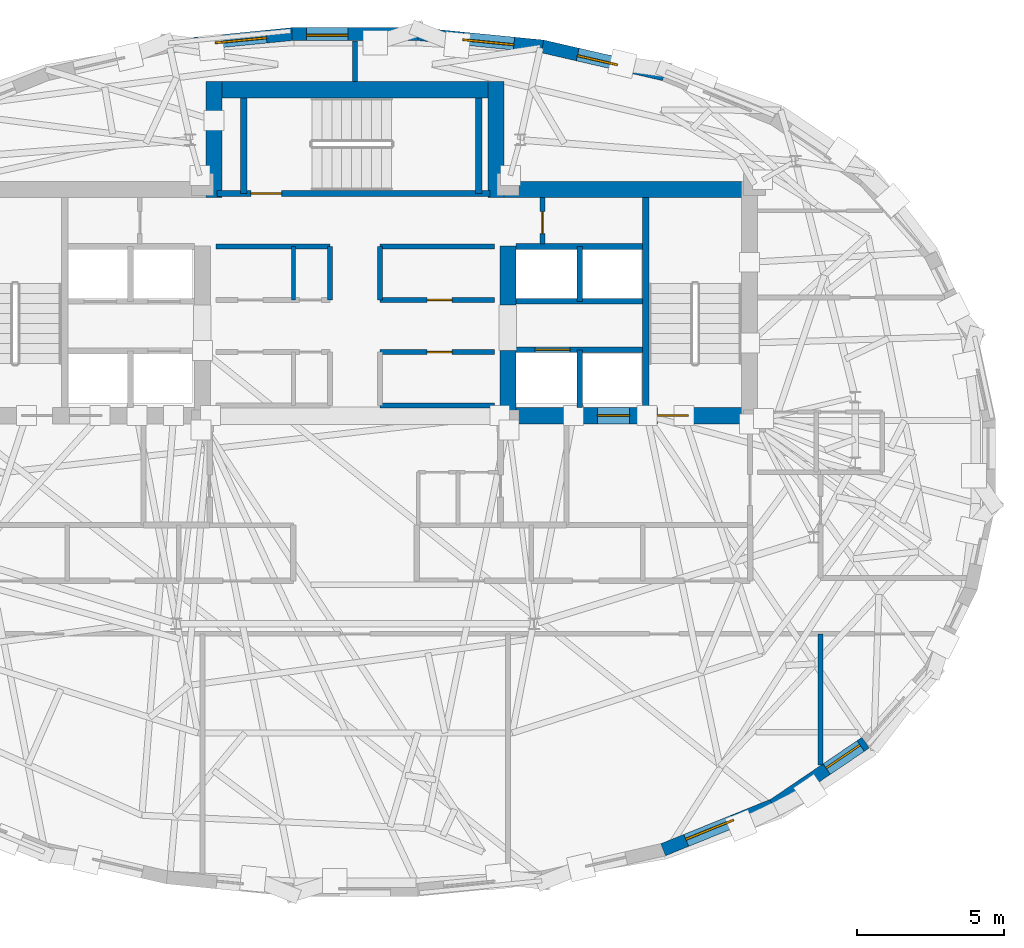
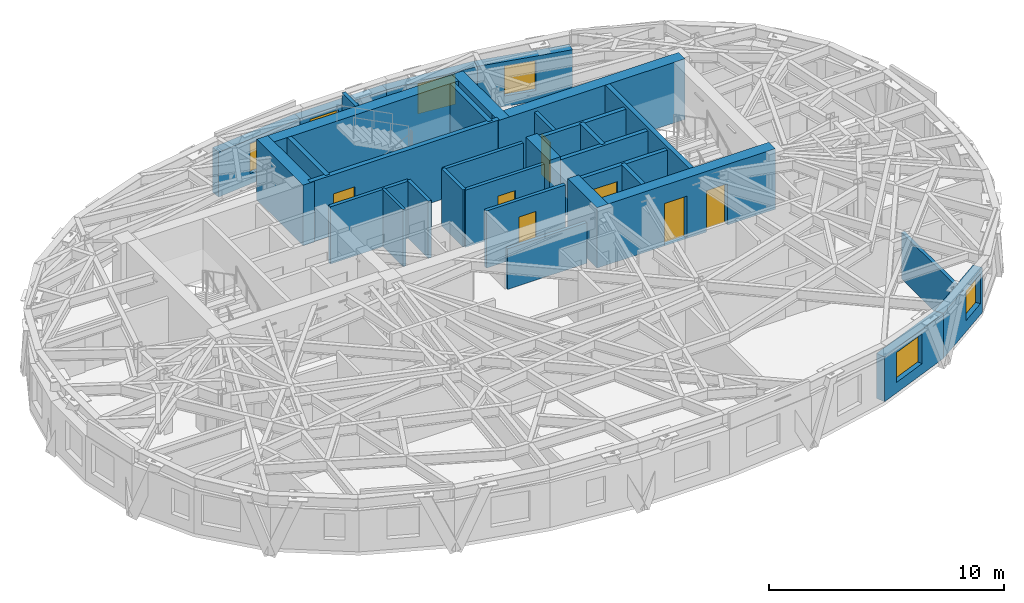
# One storey, part 8 of 13: 33 walls, 7 doors, 6 windows, 13 openings.
"""IFC4 building model written with IfcOpenShell, lengths in metres."""

from ifc_helpers import new_model, si_unit, direction, frame, frame_2d, origin, place, context, subcontext, project, spatial, rectangle, extrude, material, layer, layer_set, type_object, element, fill, save


model = new_model("IFC4")

# Units and contexts
model_context = context("Model", 3, precision=1e-05, world=origin(), true_north=direction((0.0, 1.0)))
body_context = subcontext(model_context, "Body", "Model", "MODEL_VIEW")
ifc_project = project(units=[si_unit("LENGTHUNIT", "METRE"), si_unit("AREAUNIT", "SQUARE_METRE"), si_unit("VOLUMEUNIT", "CUBIC_METRE"), si_unit("PLANEANGLEUNIT", "RADIAN"), si_unit("MASSUNIT", "GRAM", prefix="KILO")], contexts=[model_context])

# Site, building, storey
site_placement = place(None, origin())
site = spatial("IfcSite", under=ifc_project, at=site_placement, CompositionType="ELEMENT")
building_placement = place(site_placement, origin())
building = spatial("IfcBuilding", under=site, at=building_placement, Name="Keldmark Tower", CompositionType="ELEMENT")
storey_placement = place(building_placement, frame((0.0, 0.0, 244.64990234375)))
storey = spatial("IfcBuildingStorey", under=building, at=storey_placement, Name="L69", CompositionType="ELEMENT", Elevation=244.64990234375)

# Wall
ifc_material_1 = material(Name="Concrete C50/60", Category="concrete")
ifc_layer_1 = layer(ifc_material_1, 0.550048828125)
ifc_layer_set_1 = layer_set([ifc_layer_1], Name="Concrete C50/60")
wall_type_1 = type_object("IfcWallType", Name="High-Rise Core Shear Wall 550 mm", PredefinedType="SHEAR", material=ifc_layer_set_1)
wall_1_placement = place(storey_placement, frame((4.52490234375, 9.27490234375, 0.0), z_axis=(0.0, 0.0, 1.0), x_axis=(1.0, 0.0, 0.0)))
element("IfcWall", 1, at=wall_1_placement, inside=storey, type_object=wall_type_1, Name="L69 East Core North Shear Wall", PredefinedType="SHEAR", context=body_context, shape_type="SweptSolid", body=[
    extrude(rectangle(XDim=9.175048828125, YDim=0.550048828125, at=frame_2d((4.58740234375, 0.0))), origin(), (0.0, 0.0, 1.0), 3.150146484375),
])

# Wall, openings, doors
wall_2_placement = place(storey_placement, frame((13.699951171875, 1.574951171875, 0.0), z_axis=(0.0, 0.0, 1.0), x_axis=(-1.0, 0.0, 0.0)))
wall_2 = element("IfcWall", 2, at=wall_2_placement, inside=storey, type_object=wall_type_1, Name="L69 East Core South Shear Wall", PredefinedType="SHEAR", context=body_context, shape_type="SweptSolid", body=[
    extrude(rectangle(XDim=8.77490234375, YDim=0.550048828125, at=frame_2d((4.387451171875, 0.0))), origin(), (0.0, 0.0, 1.0), 3.150146484375),
])
opening_1_placement = place(wall_2_placement, frame((2.35009765625, 0.0, 0.0)))
opening_1 = element("IfcOpeningElement", 3, at=opening_1_placement, cuts=wall_2, Name="Opening D-ST105", PredefinedType="OPENING", context=body_context, shape_type="SweptSolid", body=[
    extrude(rectangle(XDim=1.050048828125, YDim=2.14990234375, at=frame_2d((0.52490234375, 1.074951171875))), frame((0.0, 0.284912109375, 0.0), z_axis=(0.0, -1.0, 0.0), x_axis=(1.0, 0.0, 0.0)), (0.0, 0.0, 1.0), 0.570068359375),
])
opening_2_placement = place(wall_2_placement, frame((4.35009765625, 0.0, 0.0)))
opening_2 = element("IfcOpeningElement", 4, at=opening_2_placement, cuts=wall_2, Name="Opening LD-110", PredefinedType="OPENING", context=body_context, shape_type="SweptSolid", body=[
    extrude(rectangle(XDim=1.10009765625, YDim=2.199951171875, at=frame_2d((0.550048828125, 1.10009765625))), frame((0.0, 0.284912109375, 0.0), z_axis=(0.0, -1.0, 0.0), x_axis=(1.0, 0.0, 0.0)), (0.0, 0.0, 1.0), 0.570068359375),
])
ifc_material_2 = material(Name="Brushed Bronze Hoistway Sliding Leaf", Category="metal")
door_type_1 = type_object("IfcDoorType", Name="Lift Landing Sliding Door 1100x2200", OperationType="SLIDING_TO_LEFT", PredefinedType="DOOR", material=ifc_material_2)
door_1_placement = place(opening_2_placement, origin())
door_1 = element("IfcDoor", 5, at=door_1_placement, inside=storey, type_object=door_type_1, Name="L69 Lift Landing Sliding Door 1100x2200 LD-EL-FS2-L69", OperationType="SLIDING_TO_LEFT", OverallHeight=2.199951171875, OverallWidth=1.10009765625, PredefinedType="DOOR", context=body_context, shape_type="SweptSolid", body=[
    extrude(rectangle(XDim=1.10009765625, YDim=2.199951171875, at=frame_2d((0.550048828125, 1.10009765625))), frame((0.0, 0.02490234375, 0.0), z_axis=(0.0, -1.0, 0.0), x_axis=(1.0, 0.0, 0.0)), (0.0, 0.0, 1.0), 0.050048828125),
])
fill(opening_2, door_1)
ifc_material_3 = material(Name="Hollow Metal Fire-Rated Door Assembly", Category="metal")
door_type_2 = type_object("IfcDoorType", Name="Stair Fire Door 1050x2150", OperationType="NOTDEFINED", PredefinedType="DOOR", material=ifc_material_3)
door_2_placement = place(opening_1_placement, origin())
door_2 = element("IfcDoor", 6, at=door_2_placement, inside=storey, type_object=door_type_2, Name="L69 Stair Fire Door 1050x2150 D-ST2-L69", OperationType="SINGLE_SWING_LEFT", OverallHeight=2.14990234375, OverallWidth=1.050048828125, PredefinedType="DOOR", context=body_context, shape_type="SweptSolid", body=[
    extrude(rectangle(XDim=1.050048828125, YDim=2.14990234375, at=frame_2d((0.52490234375, 1.074951171875))), frame((0.0, 0.02490234375, 0.0), z_axis=(0.0, -1.0, 0.0), x_axis=(1.0, 0.0, 0.0)), (0.0, 0.0, 1.0), 0.050048828125),
])
fill(opening_1, door_2)

# Walls
wall_3_placement = place(storey_placement, frame((5.199951171875, 1.300048828125, 0.0), z_axis=(0.0, 0.0, 1.0), x_axis=(0.0, 1.0, 0.0)))
element("IfcWall", 7, at=wall_3_placement, inside=storey, type_object=wall_type_1, Name="L69 East Core Inner Shear Pier South", PredefinedType="SHEAR", context=body_context, shape_type="SweptSolid", body=[
    extrude(rectangle(XDim=2.5, YDim=0.550048828125, at=frame_2d((1.25, 0.0))), origin(), (0.0, 0.0, 1.0), 3.150146484375),
])
wall_4_placement = place(storey_placement, frame((5.199951171875, 5.35009765625, 0.0), z_axis=(0.0, 0.0, 1.0), x_axis=(0.0, 1.0, 0.0)))
element("IfcWall", 8, at=wall_4_placement, inside=storey, type_object=wall_type_1, Name="L69 East Core Inner Shear Pier North", PredefinedType="SHEAR", context=body_context, shape_type="SweptSolid", body=[
    extrude(rectangle(XDim=2.0, YDim=0.550048828125, at=frame_2d((1.0, 0.0))), origin(), (0.0, 0.0, 1.0), 3.150146484375),
])
wall_5_placement = place(storey_placement, frame((-5.074951171875, 12.675048828125, 0.0), z_axis=(0.0, 0.0, 1.0), x_axis=(1.0, 0.0, 0.0)))
element("IfcWall", 9, at=wall_5_placement, inside=storey, type_object=wall_type_1, Name="L69 North Core Shear Wall", PredefinedType="SHEAR", context=body_context, shape_type="SweptSolid", body=[
    extrude(rectangle(XDim=10.14990234375, YDim=0.550048828125, at=frame_2d((5.074951171875, 0.0))), origin(), (0.0, 0.0, 1.0), 3.150146484375),
])
for number, where, z_axis, x_axis, name in (
    (10, (-4.800048828125, 9.0, 0.0), (0.0, 0.0, 1.0), (0.0, 1.0, 0.0), "L69 North Core West Shear Wall"),
    (11, (4.800048828125, 9.0, 0.0), (0.0, 0.0, 1.0), (0.0, 1.0, 0.0), "L69 North Core East Shear Wall"),
):
    element("IfcWall", number, at=place(storey_placement, frame(where, z_axis=z_axis, x_axis=x_axis)), inside=storey, type_object=wall_type_1, Name=name, PredefinedType="SHEAR", context=body_context, shape_type="SweptSolid", body=[
        extrude(rectangle(XDim=3.949951171875, YDim=0.550048828125, at=frame_2d((1.97509765625, 0.0))), origin(), (0.0, 0.0, 1.0), 3.150146484375),
    ])
ifc_material_4 = material(Name="Acoustic Gypsum Board Interior Partition", Category="gypsum")
ifc_layer_2 = layer(ifc_material_4, 0.1298828125)
ifc_layer_set_2 = layer_set([ifc_layer_2], Name="Acoustic Gypsum Board Interior Partition")
wall_type_2 = type_object("IfcWallType", Name="Interior Partition 130 mm", PredefinedType="PARTITIONING", material=ifc_layer_set_2)
wall_6_placement = place(storey_placement, frame((-2.10009765625, 5.52001953125, 0.0), z_axis=(0.0, 0.0, 1.0), x_axis=(0.0, 1.0, 0.0)))
element("IfcWall", 12, at=wall_6_placement, inside=storey, type_object=wall_type_2, Name="L69 Interior Partition 130 mm REC-MW-M", PredefinedType="PARTITIONING", context=body_context, shape_type="SweptSolid", body=[
    extrude(rectangle(XDim=1.81005859375, YDim=0.1298828125, at=frame_2d((0.905029296875, 0.0))), origin(), (0.0, 0.0, 1.0), 2.97021484375),
])
ifc_material_5 = material(Name="Type X Fire-Rated Gypsum Partition Assembly", Category="gypsum")
ifc_layer_3 = layer(ifc_material_5, 0.1650390625)
ifc_layer_set_3 = layer_set([ifc_layer_3], Name="Type X Fire-Rated Gypsum Partition Assembly")
wall_type_3 = type_object("IfcWallType", Name="Rated Partition 165 mm", PredefinedType="PARTITIONING", material=ifc_layer_set_3)
wall_7_placement = place(storey_placement, frame((0.85009765625, 1.919921875, 0.0), z_axis=(0.0, 0.0, 1.0), x_axis=(1.0, 0.0, 0.0)))
element("IfcWall", 13, at=wall_7_placement, inside=storey, type_object=wall_type_3, Name="L69 Rated Partition 165 mm REC-LE-S", PredefinedType="PARTITIONING", context=body_context, shape_type="SweptSolid", body=[
    extrude(rectangle(XDim=3.889892578125, YDim=0.1650390625, at=frame_2d((1.94482421875, 0.0))), origin(), (0.0, 0.0, 1.0), 2.110107421875),
])

# Wall, opening, door
wall_8_placement = place(storey_placement, frame((0.85009765625, 3.739990234375, 0.0), z_axis=(0.0, 0.0, 1.0), x_axis=(1.0, 0.0, 0.0)))
wall_8 = element("IfcWall", 14, at=wall_8_placement, inside=storey, type_object=wall_type_3, Name="L69 Rated Partition 165 mm REC-LE-N", PredefinedType="PARTITIONING", context=body_context, shape_type="SweptSolid", body=[
    extrude(rectangle(XDim=3.889892578125, YDim=0.1650390625, at=frame_2d((1.94482421875, 0.0))), origin(), (0.0, 0.0, 1.0), 2.97021484375),
])
opening_3_placement = place(wall_8_placement, frame((1.60009765625, 0.0, 0.0)))
opening_3 = element("IfcOpeningElement", 15, at=opening_3_placement, cuts=wall_8, Name="Opening D-SV085", PredefinedType="OPENING", context=body_context, shape_type="SweptSolid", body=[
    extrude(rectangle(XDim=0.85009765625, YDim=2.10009765625, at=frame_2d((0.425048828125, 1.050048828125))), frame((0.0, 0.092529296875, 0.0), z_axis=(0.0, -1.0, 0.0), x_axis=(1.0, 0.0, 0.0)), (0.0, 0.0, 1.0), 0.18505859375),
])
ifc_material_6 = material(Name="Painted Hollow Metal Door Assembly", Category="metal")
door_type_3 = type_object("IfcDoorType", Name="Service Door 850x2100", OperationType="NOTDEFINED", PredefinedType="DOOR", material=ifc_material_6)
door_3_placement = place(opening_3_placement, origin())
door_3 = element("IfcDoor", 16, at=door_3_placement, inside=storey, type_object=door_type_3, Name="L69 Service Door 850x2100 D-RECLE1-L69", OperationType="SINGLE_SWING_LEFT", OverallHeight=2.10009765625, OverallWidth=0.85009765625, PredefinedType="DOOR", context=body_context, shape_type="SweptSolid", body=[
    extrude(rectangle(XDim=0.85009765625, YDim=2.10009765625, at=frame_2d((0.425048828125, 1.050048828125))), frame((0.0, 0.02490234375, 0.0), z_axis=(0.0, -1.0, 0.0), x_axis=(1.0, 0.0, 0.0)), (0.0, 0.0, 1.0), 0.050048828125),
])
fill(opening_3, door_3)

# Walls
wall_9_placement = place(storey_placement, frame((-4.739990234375, 7.330078125, 0.0), z_axis=(0.0, 0.0, 1.0), x_axis=(1.0, 0.0, 0.0)))
element("IfcWall", 17, at=wall_9_placement, inside=storey, type_object=wall_type_3, Name="L69 Rated Partition 165 mm REC-MW-N", PredefinedType="PARTITIONING", context=body_context, shape_type="SweptSolid", body=[
    extrude(rectangle(XDim=3.889892578125, YDim=0.1650390625, at=frame_2d((1.94482421875, 0.0))), origin(), (0.0, 0.0, 1.0), 2.97021484375),
])
wall_10_placement = place(storey_placement, frame((-0.85009765625, 5.52001953125, 0.0), z_axis=(0.0, 0.0, 1.0), x_axis=(0.0, 1.0, 0.0)))
element("IfcWall", 18, at=wall_10_placement, inside=storey, type_object=wall_type_3, Name="L69 Rated Partition 165 mm REC-MW-E", PredefinedType="PARTITIONING", context=body_context, shape_type="SweptSolid", body=[
    extrude(rectangle(XDim=1.81005859375, YDim=0.1650390625, at=frame_2d((0.905029296875, 0.0))), origin(), (0.0, 0.0, 1.0), 2.97021484375),
])

# Wall, opening, door
wall_11_placement = place(storey_placement, frame((0.85009765625, 5.52001953125, 0.0), z_axis=(0.0, 0.0, 1.0), x_axis=(1.0, 0.0, 0.0)))
wall_11 = element("IfcWall", 19, at=wall_11_placement, inside=storey, type_object=wall_type_3, Name="L69 Rated Partition 165 mm REC-ME-S", PredefinedType="PARTITIONING", context=body_context, shape_type="SweptSolid", body=[
    extrude(rectangle(XDim=3.889892578125, YDim=0.1650390625, at=frame_2d((1.94482421875, 0.0))), origin(), (0.0, 0.0, 1.0), 2.97021484375),
])
opening_4_placement = place(wall_11_placement, frame((1.60009765625, 0.0, 0.0)))
opening_4 = element("IfcOpeningElement", 20, at=opening_4_placement, cuts=wall_11, Name="Opening D-SV085", PredefinedType="OPENING", context=body_context, shape_type="SweptSolid", body=[
    extrude(rectangle(XDim=0.85009765625, YDim=2.10009765625, at=frame_2d((0.425048828125, 1.050048828125))), frame((0.0, 0.092529296875, 0.0), z_axis=(0.0, -1.0, 0.0), x_axis=(1.0, 0.0, 0.0)), (0.0, 0.0, 1.0), 0.18505859375),
])
door_4_placement = place(opening_4_placement, origin())
door_4 = element("IfcDoor", 21, at=door_4_placement, inside=storey, type_object=door_type_3, Name="L69 Service Door 850x2100 D-RECME1-L69", OperationType="SINGLE_SWING_RIGHT", OverallHeight=2.10009765625, OverallWidth=0.85009765625, PredefinedType="DOOR", context=body_context, shape_type="SweptSolid", body=[
    extrude(rectangle(XDim=0.85009765625, YDim=2.10009765625, at=frame_2d((0.425048828125, 1.050048828125))), frame((0.0, 0.02490234375, 0.0), z_axis=(0.0, -1.0, 0.0), x_axis=(1.0, 0.0, 0.0)), (0.0, 0.0, 1.0), 0.050048828125),
])
fill(opening_4, door_4)

# Walls
wall_12_placement = place(storey_placement, frame((0.85009765625, 7.330078125, 0.0), z_axis=(0.0, 0.0, 1.0), x_axis=(1.0, 0.0, 0.0)))
element("IfcWall", 22, at=wall_12_placement, inside=storey, type_object=wall_type_3, Name="L69 Rated Partition 165 mm REC-ME-N", PredefinedType="PARTITIONING", context=body_context, shape_type="SweptSolid", body=[
    extrude(rectangle(XDim=3.889892578125, YDim=0.1650390625, at=frame_2d((1.94482421875, 0.0))), origin(), (0.0, 0.0, 1.0), 2.97021484375),
])
wall_13_placement = place(storey_placement, frame((0.85009765625, 5.52001953125, 0.0), z_axis=(0.0, 0.0, 1.0), x_axis=(0.0, 1.0, 0.0)))
element("IfcWall", 23, at=wall_13_placement, inside=storey, type_object=wall_type_3, Name="L69 Rated Partition 165 mm REC-ME-W", PredefinedType="PARTITIONING", context=body_context, shape_type="SweptSolid", body=[
    extrude(rectangle(XDim=1.81005859375, YDim=0.1650390625, at=frame_2d((0.905029296875, 0.0))), origin(), (0.0, 0.0, 1.0), 2.97021484375),
])

# Wall, opening, door
wall_14_placement = place(storey_placement, frame((6.3798828125, 7.419921875, 0.0), z_axis=(0.0, 0.0, 1.0), x_axis=(0.0, 1.0, 0.0)))
wall_14 = element("IfcWall", 24, at=wall_14_placement, inside=storey, type_object=wall_type_3, Name="L69 Rated Partition 165 mm CS-NE-W", PredefinedType="PARTITIONING", context=body_context, shape_type="SweptSolid", body=[
    extrude(rectangle(XDim=1.580078125, YDim=0.1650390625, at=frame_2d((0.7900390625, 0.0))), origin(), (0.0, 0.0, 1.0), 2.97021484375),
])
opening_5_placement = place(wall_14_placement, frame((0.35009765625, 0.0, 0.0)))
opening_5 = element("IfcOpeningElement", 25, at=opening_5_placement, cuts=wall_14, Name="Opening D-RS075", PredefinedType="OPENING", context=body_context, shape_type="SweptSolid", body=[
    extrude(rectangle(XDim=0.75, YDim=2.10009765625, at=frame_2d((0.375, 1.050048828125))), frame((0.0, 0.092529296875, 0.0), z_axis=(0.0, -1.0, 0.0), x_axis=(1.0, 0.0, 0.0)), (0.0, 0.0, 1.0), 0.18505859375),
])
ifc_material_7 = material(Name="Galvanized Fire-Rated Access Leaf", Category="metal")
door_type_4 = type_object("IfcDoorType", Name="Riser Access Door 750x2100", OperationType="NOTDEFINED", PredefinedType="DOOR", material=ifc_material_7)
door_5_placement = place(opening_5_placement, origin())
door_5 = element("IfcDoor", 26, at=door_5_placement, inside=storey, type_object=door_type_4, Name="L69 Riser Access Door 750x2100 D-CSNE1-L69", OperationType="SINGLE_SWING_LEFT", OverallHeight=2.10009765625, OverallWidth=0.75, PredefinedType="DOOR", context=body_context, shape_type="SweptSolid", body=[
    extrude(rectangle(XDim=0.75, YDim=2.10009765625, at=frame_2d((0.375, 1.050048828125))), frame((0.0, 0.02490234375, 0.0), z_axis=(0.0, -1.0, 0.0), x_axis=(1.0, 0.0, 0.0)), (0.0, 0.0, 1.0), 0.050048828125),
])
fill(opening_5, door_5)

# Walls
wall_15_placement = place(storey_placement, frame((0.0, 12.949951171875, 0.0), z_axis=(0.0, 0.0, 1.0), x_axis=(0.0, 1.0, 0.0)))
element("IfcWall", 27, at=wall_15_placement, inside=storey, type_object=wall_type_3, Name="L69 Rated Partition 165 mm RN-DIV", PredefinedType="PARTITIONING", context=body_context, shape_type="SweptSolid", body=[
    extrude(rectangle(XDim=1.390869140625, YDim=0.1650390625, at=frame_2d((0.6953125, 0.0))), origin(), (0.0, 0.0, 1.0), 2.97021484375),
])
wall_16_placement = place(storey_placement, frame((15.85009765625, -10.322265625, 0.0), z_axis=(0.0, 0.0, 1.0), x_axis=(0.0, 1.0, 0.0)))
element("IfcWall", 28, at=wall_16_placement, inside=storey, type_object=wall_type_3, Name="L69 Rated Partition 165 mm RS-ECAP", PredefinedType="PARTITIONING", context=body_context, shape_type="SweptSolid", body=[
    extrude(rectangle(XDim=4.47216796875, YDim=0.1650390625, at=frame_2d((2.236083984375, 0.0))), origin(), (0.0, 0.0, 1.0), 2.423095703125),
])

# Wall, opening, door
ifc_material_8 = material(Name="Fire-Resistant Type X Gypsum Shaftliner Coreboard", Category="gypsum")
ifc_layer_4 = layer(ifc_material_8, 0.199951171875)
ifc_layer_set_4 = layer_set([ifc_layer_4], Name="Fire-Resistant Type X Gypsum Shaftliner Coreboard")
wall_type_4 = type_object("IfcWallType", Name="Shaft Wall 200 mm", PredefinedType="SOLIDWALL", material=ifc_layer_set_4)
wall_17_placement = place(storey_placement, frame((5.47509765625, 3.820068359375, 0.0), z_axis=(0.0, 0.0, 1.0), x_axis=(1.0, 0.0, 0.0)))
wall_17 = element("IfcWall", 29, at=wall_17_placement, inside=storey, type_object=wall_type_4, Name="L69 Shaft Wall 200 mm HW-E-S", PredefinedType="SOLIDWALL", context=body_context, shape_type="SweptSolid", body=[
    extrude(rectangle(XDim=4.304931640625, YDim=0.199951171875, at=frame_2d((2.15234375, 0.0))), origin(), (0.0, 0.0, 1.0), 2.97021484375),
])
opening_6_placement = place(wall_17_placement, frame((0.64990234375, 0.0, 0.0)))
opening_6 = element("IfcOpeningElement", 30, at=opening_6_placement, cuts=wall_17, Name="Opening LD-120", PredefinedType="OPENING", context=body_context, shape_type="SweptSolid", body=[
    extrude(rectangle(XDim=1.199951171875, YDim=2.199951171875, at=frame_2d((0.60009765625, 1.10009765625))), frame((0.0, 0.10986328125, 0.0), z_axis=(0.0, -1.0, 0.0), x_axis=(1.0, 0.0, 0.0)), (0.0, 0.0, 1.0), 0.219970703125),
])
ifc_material_9 = material(Name="Heavy-Duty Brushed Metal Hoistway Sliding Leaf", Category="metal")
door_type_5 = type_object("IfcDoorType", Name="Service Lift Sliding Door 1200x2200", OperationType="SLIDING_TO_RIGHT", PredefinedType="DOOR", material=ifc_material_9)
door_6_placement = place(opening_6_placement, origin())
door_6 = element("IfcDoor", 31, at=door_6_placement, inside=storey, type_object=door_type_5, Name="L69 Service Lift Sliding Door 1200x2200 LD-EL-SV1-L69", OperationType="SLIDING_TO_RIGHT", OverallHeight=2.199951171875, OverallWidth=1.199951171875, PredefinedType="DOOR", context=body_context, shape_type="SweptSolid", body=[
    extrude(rectangle(XDim=1.199951171875, YDim=2.199951171875, at=frame_2d((0.60009765625, 1.10009765625))), frame((0.0, 0.02490234375, 0.0), z_axis=(0.0, -1.0, 0.0), x_axis=(1.0, 0.0, 0.0)), (0.0, 0.0, 1.0), 0.050048828125),
])
fill(opening_6, door_6)

# Walls
wall_18_placement = place(storey_placement, frame((7.64990234375, 1.85009765625, 0.0), z_axis=(0.0, 0.0, 1.0), x_axis=(0.0, 1.0, 0.0)))
element("IfcWall", 32, at=wall_18_placement, inside=storey, type_object=wall_type_4, Name="L69 Shaft Wall 200 mm HW-E-M", PredefinedType="SOLIDWALL", context=body_context, shape_type="SweptSolid", body=[
    extrude(rectangle(XDim=1.969970703125, YDim=0.199951171875, at=frame_2d((0.98486328125, 0.0))), origin(), (0.0, 0.0, 1.0), 2.97021484375),
])
for number, where, z_axis, x_axis, name in (
    (33, (5.47509765625, 5.469970703125, 0.0), (0.0, 0.0, 1.0), (1.0, 0.0, 0.0), "L69 Shaft Wall 200 mm HW-E-N"),
    (34, (5.47509765625, 7.330078125, 0.0), (0.0, 0.0, 1.0), (1.0, 0.0, 0.0), "L69 Shaft Wall 200 mm HW-E-TOP"),
):
    element("IfcWall", number, at=place(storey_placement, frame(where, z_axis=z_axis, x_axis=x_axis)), inside=storey, type_object=wall_type_4, Name=name, PredefinedType="SOLIDWALL", context=body_context, shape_type="SweptSolid", body=[
        extrude(rectangle(XDim=4.304931640625, YDim=0.199951171875, at=frame_2d((2.15234375, 0.0))), origin(), (0.0, 0.0, 1.0), 2.97021484375),
    ])
wall_19_placement = place(storey_placement, frame((7.64990234375, 5.469970703125, 0.0), z_axis=(0.0, 0.0, 1.0), x_axis=(0.0, 1.0, 0.0)))
element("IfcWall", 35, at=wall_19_placement, inside=storey, type_object=wall_type_4, Name="L69 Shaft Wall 200 mm HW-E-NM", PredefinedType="SOLIDWALL", context=body_context, shape_type="SweptSolid", body=[
    extrude(rectangle(XDim=1.860107421875, YDim=0.199951171875, at=frame_2d((0.93017578125, 0.0))), origin(), (0.0, 0.0, 1.0), 2.97021484375),
])
ifc_material_10 = material(Name="Concrete C50/60", Category="concrete")
ifc_layer_5 = layer(ifc_material_10, 0.219970703125)
ifc_layer_set_5 = layer_set([ifc_layer_5], Name="Concrete C50/60")
wall_type_5 = type_object("IfcWallType", Name="Stair Core Shear Wall 220 mm", PredefinedType="SHEAR", material=ifc_layer_set_5)
wall_20_placement = place(storey_placement, frame((9.889892578125, 1.85009765625, 0.0), z_axis=(0.0, 0.0, 1.0), x_axis=(0.0, 1.0, 0.0)))
element("IfcWall", 36, at=wall_20_placement, inside=storey, type_object=wall_type_5, Name="L69 East Stair Core Shear Wall", PredefinedType="SHEAR", context=body_context, shape_type="SweptSolid", body=[
    extrude(rectangle(XDim=7.14990234375, YDim=0.219970703125, at=frame_2d((3.574951171875, 0.0))), origin(), (0.0, 0.0, 1.0), 3.150146484375),
])

# Wall, opening, door
wall_21_placement = place(storey_placement, frame((-4.699951171875, 9.139892578125, 0.0), z_axis=(0.0, 0.0, 1.0), x_axis=(1.0, 0.0, 0.0)))
wall_21 = element("IfcWall", 37, at=wall_21_placement, inside=storey, type_object=wall_type_5, Name="L69 Central Stair Core South Shear Wall", PredefinedType="SHEAR", context=body_context, shape_type="SweptSolid", body=[
    extrude(rectangle(XDim=9.300048828125, YDim=0.219970703125, at=frame_2d((4.64990234375, 0.0))), origin(), (0.0, 0.0, 1.0), 3.150146484375),
])
opening_7_placement = place(wall_21_placement, frame((1.14990234375, 0.0, 0.0)))
opening_7 = element("IfcOpeningElement", 38, at=opening_7_placement, cuts=wall_21, Name="Opening D-ST105", PredefinedType="OPENING", context=body_context, shape_type="SweptSolid", body=[
    extrude(rectangle(XDim=1.050048828125, YDim=2.14990234375, at=frame_2d((0.52490234375, 1.074951171875))), frame((0.0, 0.119873046875, 0.0), z_axis=(0.0, -1.0, 0.0), x_axis=(1.0, 0.0, 0.0)), (0.0, 0.0, 1.0), 0.239990234375),
])
door_7_placement = place(opening_7_placement, origin())
door_7 = element("IfcDoor", 39, at=door_7_placement, inside=storey, type_object=door_type_2, Name="L69 Stair Fire Door 1050x2150 D-ST3-L69", OperationType="SINGLE_SWING_LEFT", OverallHeight=2.14990234375, OverallWidth=1.050048828125, PredefinedType="DOOR", context=body_context, shape_type="SweptSolid", body=[
    extrude(rectangle(XDim=1.050048828125, YDim=2.14990234375, at=frame_2d((0.52490234375, 1.074951171875))), frame((0.0, 0.02490234375, 0.0), z_axis=(0.0, -1.0, 0.0), x_axis=(1.0, 0.0, 0.0)), (0.0, 0.0, 1.0), 0.050048828125),
])
fill(opening_7, door_7)

# Walls
for number, where, z_axis, x_axis, name in (
    (40, (-3.784912109375, 9.139892578125, 0.0), (0.0, 0.0, 1.0), (0.0, 1.0, 0.0), "L69 Central Stair Core West Shear Wall"),
    (41, (4.215087890625, 9.139892578125, 0.0), (0.0, 0.0, 1.0), (0.0, 1.0, 0.0), "L69 Central Stair Core East Shear Wall"),
):
    element("IfcWall", number, at=place(storey_placement, frame(where, z_axis=z_axis, x_axis=x_axis)), inside=storey, type_object=wall_type_5, Name=name, PredefinedType="SHEAR", context=body_context, shape_type="SweptSolid", body=[
        extrude(rectangle(XDim=3.260009765625, YDim=0.219970703125, at=frame_2d((1.6298828125, 0.0))), origin(), (0.0, 0.0, 1.0), 3.150146484375),
    ])

# Wall, opening, window
ifc_material_11 = material(Name="Ironspot Manganese Brick and Kasota Buff Limestone Spandrel Assembly", Category="masonry")
ifc_layer_6 = layer(ifc_material_11, 0.43994140625)
ifc_layer_set_6 = layer_set([ifc_layer_6], Name="Ironspot Manganese Brick and Kasota Buff Limestone Spandrel Assembly")
wall_type_6 = type_object("IfcWallType", Name="Tower Brick Pier and Spandrel Wall 440 mm", PredefinedType="STANDARD", material=ifc_layer_set_6)
wall_22_placement = place(storey_placement, frame((6.376708984375, 14.150634765625, 0.0), z_axis=(0.0, 0.0, 1.0), x_axis=(0.974398936081, -0.224825962391, 0.0)))
wall_22 = element("IfcWall", 42, at=wall_22_placement, inside=storey, type_object=wall_type_6, Name="L69 Exterior Brick and Spandrel Wall 06", PredefinedType="STANDARD", context=body_context, shape_type="SweptSolid", body=[
    extrude(rectangle(XDim=4.25244140625, YDim=0.43994140625, at=frame_2d((2.126220703125, 0.0))), origin(), (0.0, 0.0, 1.0), 2.336181640625),
])
opening_8_placement = place(wall_22_placement, frame((1.22998046875, 0.0, 0.550048828125)))
opening_8 = element("IfcOpeningElement", 43, at=opening_8_placement, cuts=wall_22, Name="Opening W-08", PredefinedType="OPENING", context=body_context, shape_type="SweptSolid", body=[
    extrude(rectangle(XDim=1.39990234375, YDim=1.550048828125, at=frame_2d((0.699951171875, 0.77490234375))), frame((0.0, 0.22998046875, 0.0), z_axis=(0.0, -1.0, 0.0), x_axis=(1.0, 0.0, 0.0)), (0.0, 0.0, 1.0), 0.4599609375),
])
ifc_material_12 = material(Name="Thermally Broken Anodized Aluminum and Triple Low-E Argon Glazing", Category="aluminium")
window_type_1 = type_object("IfcWindowType", Name="Residential Corner Punched Window 1400x1550", PartitioningType="SINGLE_PANEL", PredefinedType="WINDOW", material=ifc_material_12)
window_1_placement = place(opening_8_placement, origin())
window_1 = element("IfcWindow", 44, at=window_1_placement, inside=storey, type_object=window_type_1, Name="L69 Deep-Set Window 06", OverallHeight=1.550048828125, OverallWidth=1.39990234375, PartitioningType="SINGLE_PANEL", PredefinedType="WINDOW", context=body_context, shape_type="SweptSolid", body=[
    extrude(rectangle(XDim=1.39990234375, YDim=1.550048828125, at=frame_2d((0.699951171875, 0.77490234375))), frame((0.0, -0.010009765625, 0.0), z_axis=(0.0, -1.0, 0.0), x_axis=(1.0, 0.0, 0.0)), (0.0, 0.0, 1.0), 0.06005859375),
])
fill(opening_8, window_1)

wall_23_placement = place(storey_placement, frame((2.126220703125, 14.56982421875, 0.0), z_axis=(0.0, 0.0, 1.0), x_axis=(0.995134540264, -0.098525361068, 0.0)))
wall_23 = element("IfcWall", 45, at=wall_23_placement, inside=storey, type_object=wall_type_6, Name="L69 Exterior Brick and Spandrel Wall 07", PredefinedType="STANDARD", context=body_context, shape_type="SweptSolid", body=[
    extrude(rectangle(XDim=4.29931640625, YDim=0.43994140625, at=frame_2d((2.149658203125, 0.0))), origin(), (0.0, 0.0, 1.0), 2.336181640625),
])
opening_9_placement = place(wall_23_placement, frame((1.549560546875, 0.0, 0.550048828125)))
opening_9 = element("IfcOpeningElement", 46, at=opening_9_placement, cuts=wall_23, Name="Opening W-05", PredefinedType="OPENING", context=body_context, shape_type="SweptSolid", body=[
    extrude(rectangle(XDim=1.75, YDim=1.550048828125, at=frame_2d((0.875, 0.77490234375))), frame((0.0, 0.22998046875, 0.0), z_axis=(0.0, -1.0, 0.0), x_axis=(1.0, 0.0, 0.0)), (0.0, 0.0, 1.0), 0.4599609375),
])
ifc_material_13 = material(Name="Thermally Broken Anodized Aluminum and Triple Low-E Argon Glazing", Category="aluminium")
window_type_2 = type_object("IfcWindowType", Name="Residential Deep-Set Window 1750x1550", PartitioningType="DOUBLE_PANEL_VERTICAL", PredefinedType="WINDOW", material=ifc_material_13)
window_2_placement = place(opening_9_placement, origin())
window_2 = element("IfcWindow", 47, at=window_2_placement, inside=storey, type_object=window_type_2, Name="L69 Deep-Set Window 07", OverallHeight=1.550048828125, OverallWidth=1.75, PartitioningType="SINGLE_PANEL", PredefinedType="WINDOW", context=body_context, shape_type="SweptSolid", body=[
    extrude(rectangle(XDim=1.75, YDim=1.550048828125, at=frame_2d((0.875, 0.77490234375))), frame((0.0, -0.010009765625, 0.0), z_axis=(0.0, -1.0, 0.0), x_axis=(1.0, 0.0, 0.0)), (0.0, 0.0, 1.0), 0.06005859375),
])
fill(opening_9, window_2)

wall_24_placement = place(storey_placement, frame((-2.14794921875, 14.56884765625, 0.0), z_axis=(0.0, 0.0, 1.0), x_axis=(1.0, 0.0, 0.0)))
wall_24 = element("IfcWall", 48, at=wall_24_placement, inside=storey, type_object=wall_type_6, Name="L69 Exterior Brick and Spandrel Wall 08", PredefinedType="STANDARD", context=body_context, shape_type="SweptSolid", body=[
    extrude(rectangle(XDim=4.2958984375, YDim=0.43994140625, at=frame_2d((2.14794921875, 0.0))), origin(), (0.0, 0.0, 1.0), 2.336181640625),
])
opening_10_placement = place(wall_24_placement, frame((0.49951171875, 0.0, 0.580078125)))
opening_10 = element("IfcOpeningElement", 49, at=opening_10_placement, cuts=wall_24, Name="Opening W-08", PredefinedType="OPENING", context=body_context, shape_type="SweptSolid", body=[
    extrude(rectangle(XDim=1.39990234375, YDim=1.550048828125, at=frame_2d((0.699951171875, 0.77490234375))), frame((0.0, 0.22998046875, 0.0), z_axis=(0.0, -1.0, 0.0), x_axis=(1.0, 0.0, 0.0)), (0.0, 0.0, 1.0), 0.4599609375),
])
window_3_placement = place(opening_10_placement, origin())
window_3 = element("IfcWindow", 50, at=window_3_placement, inside=storey, type_object=window_type_1, Name="L69 Deep-Set Window 08", OverallHeight=1.550048828125, OverallWidth=1.39990234375, PartitioningType="SINGLE_PANEL", PredefinedType="WINDOW", context=body_context, shape_type="SweptSolid", body=[
    extrude(rectangle(XDim=1.39990234375, YDim=1.550048828125, at=frame_2d((0.699951171875, 0.77490234375))), frame((0.0, -0.010009765625, 0.0), z_axis=(0.0, -1.0, 0.0), x_axis=(1.0, 0.0, 0.0)), (0.0, 0.0, 1.0), 0.06005859375),
])
fill(opening_10, window_3)

wall_25_placement = place(storey_placement, frame((-6.404541015625, 14.146240234375, 0.0), z_axis=(0.0, 0.0, 1.0), x_axis=(0.995134540264, 0.098525361068, 0.0)))
wall_25 = element("IfcWall", 51, at=wall_25_placement, inside=storey, type_object=wall_type_6, Name="L69 Exterior Brick and Spandrel Wall 09", PredefinedType="STANDARD", context=body_context, shape_type="SweptSolid", body=[
    extrude(rectangle(XDim=4.29931640625, YDim=0.43994140625, at=frame_2d((2.149658203125, 0.0))), origin(), (0.0, 0.0, 1.0), 2.336181640625),
])
opening_11_placement = place(wall_25_placement, frame((1.6494140625, 0.0, 0.550048828125)))
opening_11 = element("IfcOpeningElement", 52, at=opening_11_placement, cuts=wall_25, Name="Opening W-05", PredefinedType="OPENING", context=body_context, shape_type="SweptSolid", body=[
    extrude(rectangle(XDim=1.75, YDim=1.550048828125, at=frame_2d((0.875, 0.77490234375))), frame((0.0, 0.22998046875, 0.0), z_axis=(0.0, -1.0, 0.0), x_axis=(1.0, 0.0, 0.0)), (0.0, 0.0, 1.0), 0.4599609375),
])
window_4_placement = place(opening_11_placement, origin())
window_4 = element("IfcWindow", 53, at=window_4_placement, inside=storey, type_object=window_type_2, Name="L69 Deep-Set Window 09", OverallHeight=1.550048828125, OverallWidth=1.75, PartitioningType="SINGLE_PANEL", PredefinedType="WINDOW", context=body_context, shape_type="SweptSolid", body=[
    extrude(rectangle(XDim=1.75, YDim=1.550048828125, at=frame_2d((0.875, 0.77490234375))), frame((0.0, -0.010009765625, 0.0), z_axis=(0.0, -1.0, 0.0), x_axis=(1.0, 0.0, 0.0)), (0.0, 0.0, 1.0), 0.06005859375),
])
fill(opening_11, window_4)

wall_26_placement = place(storey_placement, frame((14.283203125, -11.666015625, 0.0), z_axis=(0.0, 0.0, 1.0), x_axis=(-0.926731976866, -0.375723093586, 0.0)))
wall_26 = element("IfcWall", 54, at=wall_26_placement, inside=storey, type_object=wall_type_6, Name="L69 Exterior Brick and Spandrel Wall 27", PredefinedType="STANDARD", context=body_context, shape_type="SweptSolid", body=[
    extrude(rectangle(XDim=4.09619140625, YDim=0.43994140625, at=frame_2d((2.048095703125, 0.0))), origin(), (0.0, 0.0, 1.0), 2.336181640625),
])
opening_12_placement = place(wall_26_placement, frame((1.49755859375, 0.0, 0.550048828125)))
opening_12 = element("IfcOpeningElement", 55, at=opening_12_placement, cuts=wall_26, Name="Opening W-05", PredefinedType="OPENING", context=body_context, shape_type="SweptSolid", body=[
    extrude(rectangle(XDim=1.75, YDim=1.550048828125, at=frame_2d((0.875, 0.77490234375))), frame((0.0, 0.22998046875, 0.0), z_axis=(0.0, -1.0, 0.0), x_axis=(1.0, 0.0, 0.0)), (0.0, 0.0, 1.0), 0.4599609375),
])
window_5_placement = place(opening_12_placement, origin())
window_5 = element("IfcWindow", 56, at=window_5_placement, inside=storey, type_object=window_type_2, Name="L69 Deep-Set Window 27", OverallHeight=1.550048828125, OverallWidth=1.75, PartitioningType="SINGLE_PANEL", PredefinedType="WINDOW", context=body_context, shape_type="SweptSolid", body=[
    extrude(rectangle(XDim=1.75, YDim=1.550048828125, at=frame_2d((0.875, 0.77490234375))), frame((0.0, -0.010009765625, 0.0), z_axis=(0.0, -1.0, 0.0), x_axis=(1.0, 0.0, 0.0)), (0.0, 0.0, 1.0), 0.06005859375),
])
fill(opening_12, window_5)

wall_27_placement = place(storey_placement, frame((17.38134765625, -9.559326171875, 0.0), z_axis=(0.0, 0.0, 1.0), x_axis=(-0.827637036896, -0.561263694851, 0.0)))
wall_27 = element("IfcWall", 57, at=wall_27_placement, inside=storey, type_object=wall_type_6, Name="L69 Exterior Brick and Spandrel Wall 28", PredefinedType="STANDARD", context=body_context, shape_type="SweptSolid", body=[
    extrude(rectangle(XDim=3.792724609375, YDim=0.43994140625, at=frame_2d((1.896484375, 0.0))), origin(), (0.0, 0.0, 1.0), 2.336181640625),
])
opening_13_placement = place(wall_27_placement, frame((0.199951171875, 0.0, 0.580078125)))
opening_13 = element("IfcOpeningElement", 58, at=opening_13_placement, cuts=wall_27, Name="Opening W-08", PredefinedType="OPENING", context=body_context, shape_type="SweptSolid", body=[
    extrude(rectangle(XDim=1.39990234375, YDim=1.550048828125, at=frame_2d((0.699951171875, 0.77490234375))), frame((0.0, 0.22998046875, 0.0), z_axis=(0.0, -1.0, 0.0), x_axis=(1.0, 0.0, 0.0)), (0.0, 0.0, 1.0), 0.4599609375),
])
window_6_placement = place(opening_13_placement, origin())
window_6 = element("IfcWindow", 59, at=window_6_placement, inside=storey, type_object=window_type_1, Name="L69 Deep-Set Window 28", OverallHeight=1.550048828125, OverallWidth=1.39990234375, PartitioningType="SINGLE_PANEL", PredefinedType="WINDOW", context=body_context, shape_type="SweptSolid", body=[
    extrude(rectangle(XDim=1.39990234375, YDim=1.550048828125, at=frame_2d((0.699951171875, 0.77490234375))), frame((0.0, -0.010009765625, 0.0), z_axis=(0.0, -1.0, 0.0), x_axis=(1.0, 0.0, 0.0)), (0.0, 0.0, 1.0), 0.06005859375),
])
fill(opening_13, window_6)

save(model, "model.ifc")
